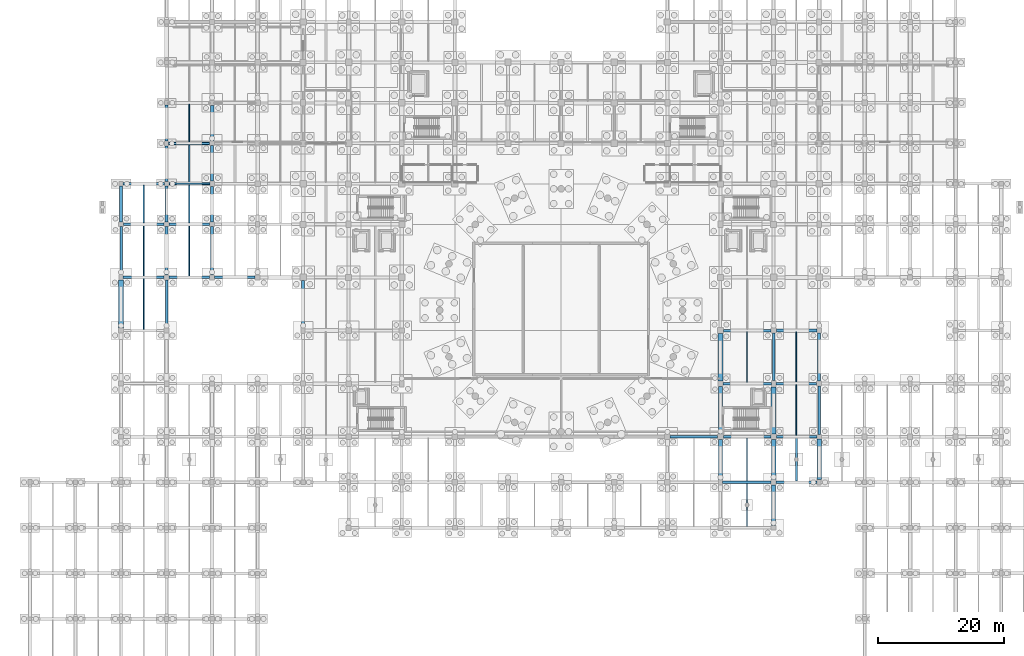
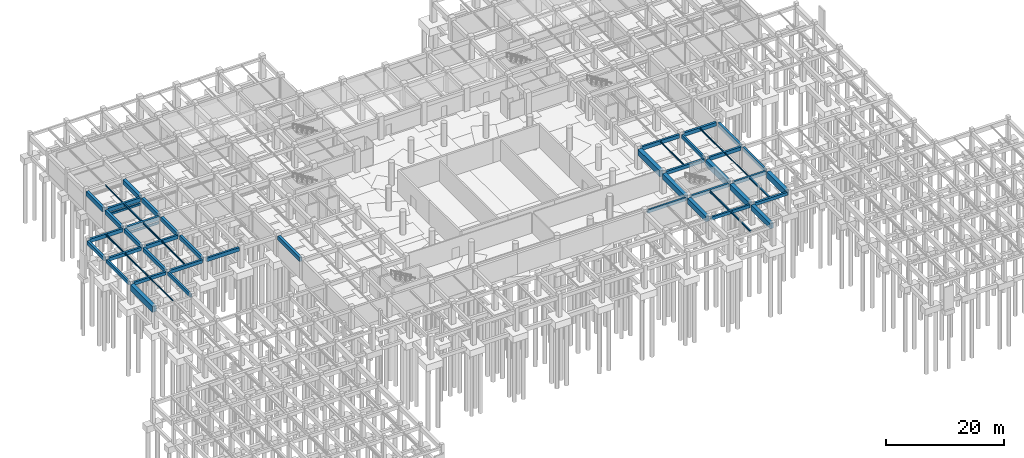
# One storey, part 21 of 44: 55 beams.
"""IFC4 building model written with IfcOpenShell, lengths in metres."""

from ifc_helpers import new_model, si_unit, direction, frame, origin, origin_2d, place, context, subcontext, project, spatial, rectangle, i_section, extrude, material, material_profile, profile_set, type_object, element, save


model = new_model("IFC4")

# Units and contexts
model_context = context("Model", 3, precision=1e-05, world=origin(), true_north=direction((0.0, 1.0)))
body_context = subcontext(model_context, "Body", "Model", "MODEL_VIEW")
ifc_project = project(units=[si_unit("LENGTHUNIT", "METRE"), si_unit("AREAUNIT", "SQUARE_METRE"), si_unit("VOLUMEUNIT", "CUBIC_METRE"), si_unit("PLANEANGLEUNIT", "RADIAN"), si_unit("MASSUNIT", "GRAM", prefix="KILO")], contexts=[model_context])

# Site, building, storey
site_placement = place(None, origin())
site = spatial("IfcSite", under=ifc_project, at=site_placement, CompositionType="ELEMENT")
building_placement = place(site_placement, origin())
building = spatial("IfcBuilding", under=site, at=building_placement, Name="Korsvaeld Concert Hall", CompositionType="ELEMENT")
storey_placement = place(building_placement, frame((0.0, 0.0, -4.800048828125)))
storey = spatial("IfcBuildingStorey", under=building, at=storey_placement, Name="B1", CompositionType="ELEMENT", Elevation=-4.800048828125)

# Beams
ifc_material_1 = material(Name="Concrete C35/45", Category="concrete")
ifc_material_profile_1 = material_profile(ifc_material_1, rectangle(XDim=0.300048828125, YDim=0.39990234375, at=origin_2d()), Name="RC 300x400")
ifc_profile_set_1 = profile_set([ifc_material_profile_1], Name="Concrete C35/45")
beam_type_1 = type_object("IfcBeamType", Name="BM-LN-300x400", PredefinedType="LINTEL", material=ifc_profile_set_1)
beam_1_placement = place(storey_placement, frame((21.89990234375, 89.60009765625, 2.85009765625), z_axis=(1.0, 0.0, 0.0), x_axis=(0.0, 1.0, 0.0)))
element("IfcBeam", 1, at=beam_1_placement, inside=storey, type_object=beam_type_1, Name="Basement lateral frame strut 09", PredefinedType="LINTEL", context=body_context, shape_type="SweptSolid", body=[
    extrude(rectangle(XDim=0.300048828125, YDim=0.39990234375, at=origin_2d()), origin(), (0.0, 0.0, 1.0), 6.525146484375),
])
ifc_material_profile_2 = material_profile(ifc_material_1, rectangle(XDim=0.35009765625, YDim=0.64990234375, at=origin_2d()), Name="RC 350x650")
ifc_profile_set_2 = profile_set([ifc_material_profile_2], Name="Concrete C35/45")
beam_type_2 = type_object("IfcBeamType", Name="BM-RC-350x650", PredefinedType="T_BEAM", material=ifc_profile_set_2)
beam_2_placement = place(storey_placement, frame((109.550048828125, 36.0, 3.925048828125), z_axis=(1.0, 0.0, 0.0), x_axis=(0.0, 1.0, 0.0)))
element("IfcBeam", 2, at=beam_2_placement, inside=storey, type_object=beam_type_2, Name="Primary girder 15-16/F B1", PredefinedType="T_BEAM", context=body_context, shape_type="SweptSolid", body=[
    extrude(rectangle(XDim=0.35009765625, YDim=0.64990234375, at=origin_2d()), origin(), (0.0, 0.0, 1.0), 7.64990234375),
])
beam_3_placement = place(storey_placement, frame((101.22509765625, 43.199951171875, 3.925048828125), z_axis=(1.0, 0.0, 0.0), x_axis=(0.0, 1.0, 0.0)))
element("IfcBeam", 3, at=beam_3_placement, inside=storey, type_object=beam_type_2, Name="Primary girder 14-15/G B1", PredefinedType="T_BEAM", context=body_context, shape_type="SweptSolid", body=[
    extrude(rectangle(XDim=0.35009765625, YDim=0.64990234375, at=origin_2d()), origin(), (0.0, 0.0, 1.0), 7.52490234375),
])
ifc_material_profile_3 = material_profile(ifc_material_1, rectangle(XDim=0.39990234375, YDim=0.64990234375, at=origin_2d()), Name="RC 400x650")
ifc_profile_set_3 = profile_set([ifc_material_profile_3], Name="Concrete C35/45")
beam_type_3 = type_object("IfcBeamType", Name="BM-RC-400x650", PredefinedType="T_BEAM", material=ifc_profile_set_3)
beam_4_placement = place(storey_placement, frame((118.0, 36.0, 3.925048828125), z_axis=(1.0, 0.0, 0.0), x_axis=(0.0, 1.0, 0.0)))
element("IfcBeam", 4, at=beam_4_placement, inside=storey, type_object=beam_type_3, Name="Primary girder 16-17/F B1", PredefinedType="T_BEAM", context=body_context, shape_type="SweptSolid", body=[
    extrude(rectangle(XDim=0.39990234375, YDim=0.64990234375, at=origin_2d()), origin(), (0.0, 0.0, 1.0), 6.5),
])
beam_5_placement = place(storey_placement, frame((109.64990234375, 43.199951171875, 3.925048828125), z_axis=(1.0, 0.0, 0.0), x_axis=(0.0, 1.0, 0.0)))
element("IfcBeam", 5, at=beam_5_placement, inside=storey, type_object=beam_type_3, Name="Primary girder 15-16/G B1", PredefinedType="T_BEAM", context=body_context, shape_type="SweptSolid", body=[
    extrude(rectangle(XDim=0.39990234375, YDim=0.64990234375, at=origin_2d()), origin(), (0.0, 0.0, 1.0), 7.525146484375),
])
beam_6_placement = place(storey_placement, frame((14.75, 68.39990234375, 3.925048828125), z_axis=(1.0, 0.0, 0.0), x_axis=(0.0, 1.0, 0.0)))
element("IfcBeam", 6, at=beam_6_placement, inside=storey, type_object=beam_type_3, Name="Primary girder 3-4/K B1", PredefinedType="T_BEAM", context=body_context, shape_type="SweptSolid", body=[
    extrude(rectangle(XDim=0.39990234375, YDim=0.64990234375, at=origin_2d()), origin(), (0.0, 0.0, 1.0), 6.449951171875),
])
ifc_material_profile_4 = material_profile(ifc_material_1, rectangle(XDim=0.39990234375, YDim=0.699951171875, at=origin_2d()), Name="RC 400x700")
ifc_profile_set_4 = profile_set([ifc_material_profile_4], Name="Concrete C35/45")
beam_type_4 = type_object("IfcBeamType", Name="BM-RC-400x700", PredefinedType="T_BEAM", material=ifc_profile_set_4)
beam_7_placement = place(storey_placement, frame((118.02490234375, 43.199951171875, 3.900146484375), z_axis=(1.0, 0.0, 0.0), x_axis=(0.0, 1.0, 0.0)))
element("IfcBeam", 7, at=beam_7_placement, inside=storey, type_object=beam_type_4, Name="Primary girder 16-17/G B1", PredefinedType="T_BEAM", context=body_context, shape_type="SweptSolid", body=[
    extrude(rectangle(XDim=0.39990234375, YDim=0.699951171875, at=origin_2d()), origin(), (0.0, 0.0, 1.0), 6.400146484375),
])
beam_8_placement = place(storey_placement, frame((109.625, 51.60009765625, 3.900146484375), z_axis=(1.0, 0.0, 0.0), x_axis=(0.0, 1.0, 0.0)))
element("IfcBeam", 8, at=beam_8_placement, inside=storey, type_object=beam_type_4, Name="Primary girder 15-16/H B1", PredefinedType="T_BEAM", context=body_context, shape_type="SweptSolid", body=[
    extrude(rectangle(XDim=0.39990234375, YDim=0.699951171875, at=origin_2d()), origin(), (0.0, 0.0, 1.0), 7.625),
])
beam_9_placement = place(storey_placement, frame((22.0, 68.39990234375, 3.900146484375), z_axis=(1.0, 0.0, 0.0), x_axis=(0.0, 1.0, 0.0)))
element("IfcBeam", 9, at=beam_9_placement, inside=storey, type_object=beam_type_4, Name="Primary girder 4-5/K B1", PredefinedType="T_BEAM", context=body_context, shape_type="SweptSolid", body=[
    extrude(rectangle(XDim=0.39990234375, YDim=0.699951171875, at=origin_2d()), origin(), (0.0, 0.0, 1.0), 6.39990234375),
])
beam_10_placement = place(storey_placement, frame((14.77490234375, 76.800048828125, 3.900146484375), z_axis=(1.0, 0.0, 0.0), x_axis=(0.0, 1.0, 0.0)))
element("IfcBeam", 10, at=beam_10_placement, inside=storey, type_object=beam_type_4, Name="Primary girder 3-4/L B1", PredefinedType="T_BEAM", context=body_context, shape_type="SweptSolid", body=[
    extrude(rectangle(XDim=0.39990234375, YDim=0.699951171875, at=origin_2d()), origin(), (0.0, 0.0, 1.0), 6.4501953125),
])
beam_11_placement = place(storey_placement, frame((14.39990234375, 68.85009765625, 3.900146484375), z_axis=(0.0, 1.0, 0.0), x_axis=(-1.0, 0.0, 0.0)))
element("IfcBeam", 11, at=beam_11_placement, inside=storey, type_object=beam_type_4, Name="Primary girder 3/K-L B1", PredefinedType="T_BEAM", context=body_context, shape_type="SweptSolid", body=[
    extrude(rectangle(XDim=0.39990234375, YDim=0.699951171875, at=origin_2d()), origin(), (0.0, 0.0, 1.0), 7.574951171875),
])
beam_12_placement = place(storey_placement, frame((21.60009765625, 60.375, 3.900146484375), z_axis=(0.0, 1.0, 0.0), x_axis=(-1.0, 0.0, 0.0)))
element("IfcBeam", 12, at=beam_12_placement, inside=storey, type_object=beam_type_4, Name="Primary girder 4/J-K B1", PredefinedType="T_BEAM", context=body_context, shape_type="SweptSolid", body=[
    extrude(rectangle(XDim=0.39990234375, YDim=0.699951171875, at=origin_2d()), origin(), (0.0, 0.0, 1.0), 7.625),
])
beam_13_placement = place(storey_placement, frame((117.60009765625, 52.10009765625, 3.900146484375), z_axis=(0.0, 1.0, 0.0), x_axis=(-1.0, 0.0, 0.0)))
element("IfcBeam", 13, at=beam_13_placement, inside=storey, type_object=beam_type_4, Name="Primary girder 16/H-J B1", PredefinedType="T_BEAM", context=body_context, shape_type="SweptSolid", body=[
    extrude(rectangle(XDim=0.39990234375, YDim=0.699951171875, at=origin_2d()), origin(), (0.0, 0.0, 1.0), 7.474853515625),
])
beam_14_placement = place(storey_placement, frame((124.800048828125, 43.574951171875, 3.900146484375), z_axis=(0.0, 1.0, 0.0), x_axis=(-1.0, 0.0, 0.0)))
element("IfcBeam", 14, at=beam_14_placement, inside=storey, type_object=beam_type_4, Name="Primary girder 17/G-H B1", PredefinedType="T_BEAM", context=body_context, shape_type="SweptSolid", body=[
    extrude(rectangle(XDim=0.39990234375, YDim=0.699951171875, at=origin_2d()), origin(), (0.0, 0.0, 1.0), 7.625),
])
ifc_material_profile_5 = material_profile(ifc_material_1, rectangle(XDim=0.39990234375, YDim=0.75, at=origin_2d()), Name="RC 400x750")
ifc_profile_set_5 = profile_set([ifc_material_profile_5], Name="Concrete C35/45")
beam_type_5 = type_object("IfcBeamType", Name="BM-RC-400x750", PredefinedType="T_BEAM", material=ifc_profile_set_5)
beam_15_placement = place(storey_placement, frame((117.949951171875, 51.60009765625, 3.875), z_axis=(1.0, 0.0, 0.0), x_axis=(0.0, 1.0, 0.0)))
element("IfcBeam", 15, at=beam_15_placement, inside=storey, type_object=beam_type_5, Name="Primary girder 16-17/H B1", PredefinedType="T_BEAM", context=body_context, shape_type="SweptSolid", body=[
    extrude(rectangle(XDim=0.39990234375, YDim=0.75, at=origin_2d()), origin(), (0.0, 0.0, 1.0), 6.449951171875),
])
beam_16_placement = place(storey_placement, frame((109.64990234375, 60.0, 3.875), z_axis=(1.0, 0.0, 0.0), x_axis=(0.0, 1.0, 0.0)))
element("IfcBeam", 16, at=beam_16_placement, inside=storey, type_object=beam_type_5, Name="Primary girder 15-16/J B1", PredefinedType="T_BEAM", context=body_context, shape_type="SweptSolid", body=[
    extrude(rectangle(XDim=0.39990234375, YDim=0.75, at=origin_2d()), origin(), (0.0, 0.0, 1.0), 7.525146484375),
])
beam_17_placement = place(storey_placement, frame((29.199951171875, 68.39990234375, 3.875), z_axis=(1.0, 0.0, 0.0), x_axis=(0.0, 1.0, 0.0)))
element("IfcBeam", 17, at=beam_17_placement, inside=storey, type_object=beam_type_5, Name="Primary girder 5-6/K B1", PredefinedType="T_BEAM", context=body_context, shape_type="SweptSolid", body=[
    extrude(rectangle(XDim=0.39990234375, YDim=0.75, at=origin_2d()), origin(), (0.0, 0.0, 1.0), 6.400146484375),
])
beam_18_placement = place(storey_placement, frame((21.97509765625, 76.800048828125, 3.875), z_axis=(1.0, 0.0, 0.0), x_axis=(0.0, 1.0, 0.0)))
element("IfcBeam", 18, at=beam_18_placement, inside=storey, type_object=beam_type_5, Name="Primary girder 4-5/L B1", PredefinedType="T_BEAM", context=body_context, shape_type="SweptSolid", body=[
    extrude(rectangle(XDim=0.39990234375, YDim=0.75, at=origin_2d()), origin(), (0.0, 0.0, 1.0), 6.449951171875),
])
beam_19_placement = place(storey_placement, frame((14.75, 83.199951171875, 3.875), z_axis=(1.0, 0.0, 0.0), x_axis=(0.0, 1.0, 0.0)))
element("IfcBeam", 19, at=beam_19_placement, inside=storey, type_object=beam_type_5, Name="Primary girder 3-4/M B1", PredefinedType="T_BEAM", context=body_context, shape_type="SweptSolid", body=[
    extrude(rectangle(XDim=0.39990234375, YDim=0.75, at=origin_2d()), origin(), (0.0, 0.0, 1.0), 6.5),
])
ifc_material_profile_6 = material_profile(ifc_material_1, rectangle(XDim=0.449951171875, YDim=0.75, at=origin_2d()), Name="RC 450x750")
ifc_profile_set_6 = profile_set([ifc_material_profile_6], Name="Concrete C35/45")
beam_type_6 = type_object("IfcBeamType", Name="BM-RC-450x750", PredefinedType="T_BEAM", material=ifc_profile_set_6)
beam_20_placement = place(storey_placement, frame((118.02490234375, 60.0, 3.875), z_axis=(1.0, 0.0, 0.0), x_axis=(0.0, 1.0, 0.0)))
element("IfcBeam", 20, at=beam_20_placement, inside=storey, type_object=beam_type_6, Name="Primary girder 16-17/J B1", PredefinedType="T_BEAM", context=body_context, shape_type="SweptSolid", body=[
    extrude(rectangle(XDim=0.449951171875, YDim=0.75, at=origin_2d()), origin(), (0.0, 0.0, 1.0), 6.400146484375),
])
beam_21_placement = place(storey_placement, frame((21.949951171875, 83.199951171875, 3.875), z_axis=(1.0, 0.0, 0.0), x_axis=(0.0, 1.0, 0.0)))
element("IfcBeam", 21, at=beam_21_placement, inside=storey, type_object=beam_type_6, Name="Primary girder 4-5/M B1", PredefinedType="T_BEAM", context=body_context, shape_type="SweptSolid", body=[
    extrude(rectangle(XDim=0.449951171875, YDim=0.75, at=origin_2d()), origin(), (0.0, 0.0, 1.0), 6.5),
])
ifc_material_profile_7 = material_profile(ifc_material_1, rectangle(XDim=0.449951171875, YDim=0.800048828125, at=origin_2d()), Name="RC 450x800")
ifc_profile_set_7 = profile_set([ifc_material_profile_7], Name="Concrete C35/45")
beam_type_7 = type_object("IfcBeamType", Name="BM-RC-450x800", PredefinedType="T_BEAM", material=ifc_profile_set_7)
beam_22_placement = place(storey_placement, frame((21.89990234375, 89.60009765625, 3.85009765625), z_axis=(1.0, 0.0, 0.0), x_axis=(0.0, 1.0, 0.0)))
element("IfcBeam", 22, at=beam_22_placement, inside=storey, type_object=beam_type_7, Name="Primary girder 4-5/N B1", PredefinedType="T_BEAM", context=body_context, shape_type="SweptSolid", body=[
    extrude(rectangle(XDim=0.449951171875, YDim=0.800048828125, at=origin_2d()), origin(), (0.0, 0.0, 1.0), 6.525146484375),
])
beam_23_placement = place(storey_placement, frame((14.39990234375, 77.175048828125, 3.85009765625), z_axis=(0.0, 1.0, 0.0), x_axis=(-1.0, 0.0, 0.0)))
element("IfcBeam", 23, at=beam_23_placement, inside=storey, type_object=beam_type_7, Name="Primary girder 3/L-M B1", PredefinedType="T_BEAM", context=body_context, shape_type="SweptSolid", body=[
    extrude(rectangle(XDim=0.449951171875, YDim=0.800048828125, at=origin_2d()), origin(), (0.0, 0.0, 1.0), 5.675048828125),
])
for number, where, z_axis, x_axis, name in (
    (24, (21.60009765625, 68.800048828125, 3.85009765625), (0.0, 1.0, 0.0), (-1.0, 0.0, 0.0), "Primary girder 4/K-L B1"),
    (25, (124.800048828125, 52.0, 3.85009765625), (0.0, 1.0, 0.0), (-1.0, 0.0, 0.0), "Primary girder 17/H-J B1"),
):
    element("IfcBeam", number, at=place(storey_placement, frame(where, z_axis=z_axis, x_axis=x_axis)), inside=storey, type_object=beam_type_7, Name=name, PredefinedType="T_BEAM", context=body_context, shape_type="SweptSolid", body=[
        extrude(rectangle(XDim=0.449951171875, YDim=0.800048828125, at=origin_2d()), origin(), (0.0, 0.0, 1.0), 7.625),
    ])
ifc_material_2 = material(Name="Concrete C40/50", Category="concrete")
ifc_material_profile_8 = material_profile(ifc_material_2, rectangle(XDim=0.449951171875, YDim=0.85009765625, at=origin_2d()), Name="RC 450x850")
ifc_profile_set_8 = profile_set([ifc_material_profile_8], Name="Concrete C40/50")
beam_type_8 = type_object("IfcBeamType", Name="BM-RC-450x850", PredefinedType="T_BEAM", material=ifc_profile_set_8)
beam_24_placement = place(storey_placement, frame((21.60009765625, 77.175048828125, 3.824951171875), z_axis=(0.0, 1.0, 0.0), x_axis=(-1.0, 0.0, 0.0)))
element("IfcBeam", 26, at=beam_24_placement, inside=storey, type_object=beam_type_8, Name="Primary girder 4/L-M B1", PredefinedType="T_BEAM", context=body_context, shape_type="SweptSolid", body=[
    extrude(rectangle(XDim=0.449951171875, YDim=0.85009765625, at=origin_2d()), origin(), (0.0, 0.0, 1.0), 5.675048828125),
])
beam_25_placement = place(storey_placement, frame((28.800048828125, 68.800048828125, 3.824951171875), z_axis=(0.0, 1.0, 0.0), x_axis=(-1.0, 0.0, 0.0)))
element("IfcBeam", 27, at=beam_25_placement, inside=storey, type_object=beam_type_8, Name="Primary girder 5/K-L B1", PredefinedType="T_BEAM", context=body_context, shape_type="SweptSolid", body=[
    extrude(rectangle(XDim=0.449951171875, YDim=0.85009765625, at=origin_2d()), origin(), (0.0, 0.0, 1.0), 7.625),
])
ifc_material_profile_9 = material_profile(ifc_material_2, rectangle(XDim=0.5, YDim=0.85009765625, at=origin_2d()), Name="RC 500x850")
ifc_profile_set_9 = profile_set([ifc_material_profile_9], Name="Concrete C40/50")
beam_type_9 = type_object("IfcBeamType", Name="BM-RC-500x850", PredefinedType="T_BEAM", material=ifc_profile_set_9)
beam_26_placement = place(storey_placement, frame((21.60009765625, 83.550048828125, 3.824951171875), z_axis=(0.0, 1.0, 0.0), x_axis=(-1.0, 0.0, 0.0)))
element("IfcBeam", 28, at=beam_26_placement, inside=storey, type_object=beam_type_9, Name="Primary girder 4/M-N B1", PredefinedType="T_BEAM", context=body_context, shape_type="SweptSolid", body=[
    extrude(rectangle(XDim=0.5, YDim=0.85009765625, at=origin_2d()), origin(), (0.0, 0.0, 1.0), 5.64990234375),
])
beam_27_placement = place(storey_placement, frame((28.800048828125, 77.175048828125, 3.824951171875), z_axis=(0.0, 1.0, 0.0), x_axis=(-1.0, 0.0, 0.0)))
element("IfcBeam", 29, at=beam_27_placement, inside=storey, type_object=beam_type_9, Name="Primary girder 5/L-M B1", PredefinedType="T_BEAM", context=body_context, shape_type="SweptSolid", body=[
    extrude(rectangle(XDim=0.5, YDim=0.85009765625, at=origin_2d()), origin(), (0.0, 0.0, 1.0), 5.574951171875),
])
beam_28_placement = place(storey_placement, frame((43.199951171875, 60.449951171875, 3.824951171875), z_axis=(0.0, 1.0, 0.0), x_axis=(-1.0, 0.0, 0.0)))
element("IfcBeam", 30, at=beam_28_placement, inside=storey, type_object=beam_type_9, Name="Primary girder 7/J-K B1", PredefinedType="T_BEAM", context=body_context, shape_type="SweptSolid", body=[
    extrude(rectangle(XDim=0.5, YDim=0.85009765625, at=origin_2d()), origin(), (0.0, 0.0, 1.0), 7.449951171875),
])
ifc_material_profile_10 = material_profile(ifc_material_2, rectangle(XDim=0.5, YDim=0.89990234375, at=origin_2d()), Name="RC 500x900")
ifc_profile_set_10 = profile_set([ifc_material_profile_10], Name="Concrete C40/50")
beam_type_10 = type_object("IfcBeamType", Name="BM-RC-500x900", PredefinedType="T_BEAM", material=ifc_profile_set_10)
beam_29_placement = place(storey_placement, frame((21.60009765625, 90.0, 3.800048828125), z_axis=(0.0, 1.0, 0.0), x_axis=(-1.0, 0.0, 0.0)))
element("IfcBeam", 31, at=beam_29_placement, inside=storey, type_object=beam_type_10, Name="Primary girder 4/N-P B1", PredefinedType="T_BEAM", context=body_context, shape_type="SweptSolid", body=[
    extrude(rectangle(XDim=0.5, YDim=0.89990234375, at=origin_2d()), origin(), (0.0, 0.0, 1.0), 5.64990234375),
])
beam_30_placement = place(storey_placement, frame((28.800048828125, 83.64990234375, 3.800048828125), z_axis=(0.0, 1.0, 0.0), x_axis=(-1.0, 0.0, 0.0)))
element("IfcBeam", 32, at=beam_30_placement, inside=storey, type_object=beam_type_10, Name="Primary girder 5/M-N B1", PredefinedType="T_BEAM", context=body_context, shape_type="SweptSolid", body=[
    extrude(rectangle(XDim=0.5, YDim=0.89990234375, at=origin_2d()), origin(), (0.0, 0.0, 1.0), 5.5751953125),
])
ifc_material_profile_11 = material_profile(ifc_material_2, rectangle(XDim=0.550048828125, YDim=0.949951171875, at=origin_2d()), Name="RC 550x950")
ifc_profile_set_11 = profile_set([ifc_material_profile_11], Name="Concrete C40/50")
beam_type_11 = type_object("IfcBeamType", Name="BM-RC-550x950", PredefinedType="T_BEAM", material=ifc_profile_set_11)
beam_31_placement = place(storey_placement, frame((28.800048828125, 89.97509765625, 3.775146484375), z_axis=(0.0, 1.0, 0.0), x_axis=(-1.0, 0.0, 0.0)))
element("IfcBeam", 33, at=beam_31_placement, inside=storey, type_object=beam_type_11, Name="Primary girder 5/N-P B1", PredefinedType="T_BEAM", context=body_context, shape_type="SweptSolid", body=[
    extrude(rectangle(XDim=0.550048828125, YDim=0.949951171875, at=origin_2d()), origin(), (0.0, 0.0, 1.0), 5.625),
])
ifc_material_profile_12 = material_profile(ifc_material_2, rectangle(XDim=0.64990234375, YDim=1.10009765625, at=origin_2d()), Name="RC 650x1100")
ifc_profile_set_12 = profile_set([ifc_material_profile_12], Name="Concrete C40/50")
beam_type_12 = type_object("IfcBeamType", Name="BM-RC-650x1100", PredefinedType="T_BEAM", material=ifc_profile_set_12)
beam_32_placement = place(storey_placement, frame((109.199951171875, 36.449951171875, 3.699951171875), z_axis=(0.0, 1.0, 0.0), x_axis=(-1.0, 0.0, 0.0)))
element("IfcBeam", 34, at=beam_32_placement, inside=storey, type_object=beam_type_12, Name="Primary girder 15/F-G B1", PredefinedType="T_BEAM", context=body_context, shape_type="SweptSolid", body=[
    extrude(rectangle(XDim=0.64990234375, YDim=1.10009765625, at=origin_2d()), origin(), (0.0, 0.0, 1.0), 6.300048828125),
])
beam_33_placement = place(storey_placement, frame((117.60009765625, 29.175048828125, 3.699951171875), z_axis=(0.0, 1.0, 0.0), x_axis=(-1.0, 0.0, 0.0)))
element("IfcBeam", 35, at=beam_33_placement, inside=storey, type_object=beam_type_12, Name="Primary girder 16/E-F B1", PredefinedType="T_BEAM", context=body_context, shape_type="SweptSolid", body=[
    extrude(rectangle(XDim=0.64990234375, YDim=1.10009765625, at=origin_2d()), origin(), (0.0, 0.0, 1.0), 6.425048828125),
])
ifc_material_profile_13 = material_profile(ifc_material_2, rectangle(XDim=0.699951171875, YDim=1.14990234375, at=origin_2d()), Name="RC 700x1150")
ifc_profile_set_13 = profile_set([ifc_material_profile_13], Name="Concrete C40/50")
beam_type_13 = type_object("IfcBeamType", Name="BM-RC-700x1150", PredefinedType="T_BEAM", material=ifc_profile_set_13)
beam_34_placement = place(storey_placement, frame((109.199951171875, 43.64990234375, 3.675048828125), z_axis=(0.0, 1.0, 0.0), x_axis=(-1.0, 0.0, 0.0)))
element("IfcBeam", 36, at=beam_34_placement, inside=storey, type_object=beam_type_13, Name="Primary girder 15/G-H B1", PredefinedType="T_BEAM", context=body_context, shape_type="SweptSolid", body=[
    extrude(rectangle(XDim=0.699951171875, YDim=1.14990234375, at=origin_2d()), origin(), (0.0, 0.0, 1.0), 7.525146484375),
])
beam_35_placement = place(storey_placement, frame((117.60009765625, 36.39990234375, 3.675048828125), z_axis=(0.0, 1.0, 0.0), x_axis=(-1.0, 0.0, 0.0)))
element("IfcBeam", 37, at=beam_35_placement, inside=storey, type_object=beam_type_13, Name="Primary girder 16/F-G B1", PredefinedType="T_BEAM", context=body_context, shape_type="SweptSolid", body=[
    extrude(rectangle(XDim=0.699951171875, YDim=1.14990234375, at=origin_2d()), origin(), (0.0, 0.0, 1.0), 6.375),
])
ifc_material_profile_14 = material_profile(ifc_material_2, rectangle(XDim=0.75, YDim=1.199951171875, at=origin_2d()), Name="RC 750x1200")
ifc_profile_set_14 = profile_set([ifc_material_profile_14], Name="Concrete C40/50")
beam_type_14 = type_object("IfcBeamType", Name="BM-RC-750x1200", PredefinedType="T_BEAM", material=ifc_profile_set_14)
beam_36_placement = place(storey_placement, frame((14.39990234375, 60.375, 3.650146484375), z_axis=(0.0, 1.0, 0.0), x_axis=(-1.0, 0.0, 0.0)))
element("IfcBeam", 38, at=beam_36_placement, inside=storey, type_object=beam_type_14, Name="Primary girder 3/J-K B1", PredefinedType="T_BEAM", context=body_context, shape_type="SweptSolid", body=[
    extrude(rectangle(XDim=0.75, YDim=1.199951171875, at=origin_2d()), origin(), (0.0, 0.0, 1.0), 7.574951171875),
])
beam_37_placement = place(storey_placement, frame((109.199951171875, 52.02490234375, 3.650146484375), z_axis=(0.0, 1.0, 0.0), x_axis=(-1.0, 0.0, 0.0)))
element("IfcBeam", 39, at=beam_37_placement, inside=storey, type_object=beam_type_14, Name="Primary girder 15/H-J B1", PredefinedType="T_BEAM", context=body_context, shape_type="SweptSolid", body=[
    extrude(rectangle(XDim=0.75, YDim=1.199951171875, at=origin_2d()), origin(), (0.0, 0.0, 1.0), 7.525146484375),
])
beam_38_placement = place(storey_placement, frame((117.60009765625, 43.625, 3.650146484375), z_axis=(0.0, 1.0, 0.0), x_axis=(-1.0, 0.0, 0.0)))
element("IfcBeam", 40, at=beam_38_placement, inside=storey, type_object=beam_type_14, Name="Primary girder 16/G-H B1", PredefinedType="T_BEAM", context=body_context, shape_type="SweptSolid", body=[
    extrude(rectangle(XDim=0.75, YDim=1.199951171875, at=origin_2d()), origin(), (0.0, 0.0, 1.0), 7.47509765625),
])
beam_39_placement = place(storey_placement, frame((124.800048828125, 36.449951171875, 3.650146484375), z_axis=(0.0, 1.0, 0.0), x_axis=(-1.0, 0.0, 0.0)))
element("IfcBeam", 41, at=beam_39_placement, inside=storey, type_object=beam_type_14, Name="Primary girder 17/F-G B1", PredefinedType="T_BEAM", context=body_context, shape_type="SweptSolid", body=[
    extrude(rectangle(XDim=0.75, YDim=1.199951171875, at=origin_2d()), origin(), (0.0, 0.0, 1.0), 6.375),
])
ifc_material_3 = material(Name="Steel S355J2", Category="steel")
ifc_material_profile_15 = material_profile(ifc_material_3, i_section(OverallWidth=0.280029296875, OverallDepth=0.27001953125, WebThickness=0.008056640625, FlangeThickness=0.012939453125, FilletRadius=0.02392578125, at=origin_2d()), Name="HEA 280")
ifc_profile_set_15 = profile_set([ifc_material_profile_15], Name="Steel S355J2")
beam_type_15 = type_object("IfcBeamType", Name="BM-STL-HEA280", PredefinedType="BEAM", material=ifc_profile_set_15)
beam_40_placement = place(storey_placement, frame((25.199951171875, 83.425048828125, 4.114990234375), z_axis=(0.0, 1.0, 0.0), x_axis=(-1.0, 0.0, 0.0)))
element("IfcBeam", 42, at=beam_40_placement, inside=storey, type_object=beam_type_15, Name="Secondary steel floor beam 4-5/M B1", PredefinedType="BEAM", context=body_context, shape_type="SweptSolid", body=[
    extrude(i_section(OverallWidth=0.280029296875, OverallDepth=0.27001953125, WebThickness=0.008056640625, FlangeThickness=0.012939453125, FilletRadius=0.02392578125, at=origin_2d()), origin(), (0.0, 0.0, 1.0), 5.949951171875),
])
beam_41_placement = place(storey_placement, frame((121.199951171875, 36.199951171875, 4.114990234375), z_axis=(0.0, 1.0, 0.0), x_axis=(-1.0, 0.0, 0.0)))
element("IfcBeam", 43, at=beam_41_placement, inside=storey, type_object=beam_type_15, Name="Secondary steel floor beam 16-17/F B1", PredefinedType="BEAM", context=body_context, shape_type="SweptSolid", body=[
    extrude(i_section(OverallWidth=0.280029296875, OverallDepth=0.27001953125, WebThickness=0.008056640625, FlangeThickness=0.012939453125, FilletRadius=0.02392578125, at=origin_2d()), origin(), (0.0, 0.0, 1.0), 6.800048828125),
])
ifc_material_profile_16 = material_profile(ifc_material_3, i_section(OverallWidth=0.1201171875, OverallDepth=0.239990234375, WebThickness=0.006103515625, FlangeThickness=0.009765625, FilletRadius=0.014892578125, at=origin_2d()), Name="IPE 240")
ifc_profile_set_16 = profile_set([ifc_material_profile_16], Name="Steel S355J2")
beam_type_16 = type_object("IfcBeamType", Name="BM-STL-IPE240", PredefinedType="JOIST", material=ifc_profile_set_16)
beam_42_placement = place(storey_placement, frame((18.0, 60.175048828125, 4.130126953125), z_axis=(0.0, 1.0, 0.0), x_axis=(-1.0, 0.0, 0.0)))
element("IfcBeam", 44, at=beam_42_placement, inside=storey, type_object=beam_type_16, Name="Secondary steel floor beam 3-4/J B1", PredefinedType="JOIST", context=body_context, shape_type="SweptSolid", body=[
    extrude(i_section(OverallWidth=0.1201171875, OverallDepth=0.239990234375, WebThickness=0.006103515625, FlangeThickness=0.009765625, FilletRadius=0.014892578125, at=origin_2d()), origin(), (0.0, 0.0, 1.0), 8.02490234375),
])
beam_43_placement = place(storey_placement, frame((25.199951171875, 89.824951171875, 4.130126953125), z_axis=(0.0, 1.0, 0.0), x_axis=(-1.0, 0.0, 0.0)))
element("IfcBeam", 45, at=beam_43_placement, inside=storey, type_object=beam_type_16, Name="Secondary steel floor beam 4-5/N B1", PredefinedType="JOIST", context=body_context, shape_type="SweptSolid", body=[
    extrude(i_section(OverallWidth=0.1201171875, OverallDepth=0.239990234375, WebThickness=0.006103515625, FlangeThickness=0.009765625, FilletRadius=0.014892578125, at=origin_2d()), origin(), (0.0, 0.0, 1.0), 5.925048828125),
])
beam_44_placement = place(storey_placement, frame((121.199951171875, 43.39990234375, 4.130126953125), z_axis=(0.0, 1.0, 0.0), x_axis=(-1.0, 0.0, 0.0)))
element("IfcBeam", 46, at=beam_44_placement, inside=storey, type_object=beam_type_16, Name="Secondary steel floor beam 16-17/G B1", PredefinedType="JOIST", context=body_context, shape_type="SweptSolid", body=[
    extrude(i_section(OverallWidth=0.1201171875, OverallDepth=0.239990234375, WebThickness=0.006103515625, FlangeThickness=0.009765625, FilletRadius=0.014892578125, at=origin_2d()), origin(), (0.0, 0.0, 1.0), 8.0),
])
ifc_material_profile_17 = material_profile(ifc_material_3, i_section(OverallWidth=0.135009765625, OverallDepth=0.27001953125, WebThickness=0.006591796875, FlangeThickness=0.01025390625, FilletRadius=0.014892578125, at=origin_2d()), Name="IPE 270")
ifc_profile_set_17 = profile_set([ifc_material_profile_17], Name="Steel S355J2")
beam_type_17 = type_object("IfcBeamType", Name="BM-STL-IPE270", PredefinedType="JOIST", material=ifc_profile_set_17)
beam_45_placement = place(storey_placement, frame((113.39990234375, 51.800048828125, 4.114990234375), z_axis=(0.0, 1.0, 0.0), x_axis=(-1.0, 0.0, 0.0)))
element("IfcBeam", 47, at=beam_45_placement, inside=storey, type_object=beam_type_17, Name="Secondary steel floor beam 15-16/H B1", PredefinedType="JOIST", context=body_context, shape_type="SweptSolid", body=[
    extrude(i_section(OverallWidth=0.135009765625, OverallDepth=0.27001953125, WebThickness=0.006591796875, FlangeThickness=0.01025390625, FilletRadius=0.014892578125, at=origin_2d()), origin(), (0.0, 0.0, 1.0), 8.0),
])
ifc_material_profile_18 = material_profile(ifc_material_3, i_section(OverallWidth=0.14990234375, OverallDepth=0.300048828125, WebThickness=0.007080078125, FlangeThickness=0.0107421875, FilletRadius=0.014892578125, at=origin_2d()), Name="IPE 300")
ifc_profile_set_18 = profile_set([ifc_material_profile_18], Name="Steel S355J2")
beam_type_18 = type_object("IfcBeamType", Name="BM-STL-IPE300", PredefinedType="JOIST", material=ifc_profile_set_18)
beam_46_placement = place(storey_placement, frame((18.0, 68.60009765625, 4.10009765625), z_axis=(0.0, 1.0, 0.0), x_axis=(-1.0, 0.0, 0.0)))
element("IfcBeam", 48, at=beam_46_placement, inside=storey, type_object=beam_type_18, Name="Secondary steel floor beam 3-4/K B1", PredefinedType="JOIST", context=body_context, shape_type="SweptSolid", body=[
    extrude(i_section(OverallWidth=0.14990234375, OverallDepth=0.300048828125, WebThickness=0.007080078125, FlangeThickness=0.0107421875, FilletRadius=0.014892578125, at=origin_2d()), origin(), (0.0, 0.0, 1.0), 8.0),
])
beam_47_placement = place(storey_placement, frame((121.199951171875, 51.800048828125, 4.10009765625), z_axis=(0.0, 1.0, 0.0), x_axis=(-1.0, 0.0, 0.0)))
element("IfcBeam", 49, at=beam_47_placement, inside=storey, type_object=beam_type_18, Name="Secondary steel floor beam 16-17/H B1", PredefinedType="JOIST", context=body_context, shape_type="SweptSolid", body=[
    extrude(i_section(OverallWidth=0.14990234375, OverallDepth=0.300048828125, WebThickness=0.007080078125, FlangeThickness=0.0107421875, FilletRadius=0.014892578125, at=origin_2d()), origin(), (0.0, 0.0, 1.0), 7.974853515625),
])
ifc_material_profile_19 = material_profile(ifc_material_3, i_section(OverallWidth=0.159912109375, OverallDepth=0.330078125, WebThickness=0.007568359375, FlangeThickness=0.011474609375, FilletRadius=0.01806640625, at=origin_2d()), Name="IPE 330")
ifc_profile_set_19 = profile_set([ifc_material_profile_19], Name="Steel S355J2")
beam_type_19 = type_object("IfcBeamType", Name="BM-STL-IPE330", PredefinedType="BEAM", material=ifc_profile_set_19)
beam_48_placement = place(storey_placement, frame((25.199951171875, 68.60009765625, 4.0849609375), z_axis=(0.0, 1.0, 0.0), x_axis=(-1.0, 0.0, 0.0)))
element("IfcBeam", 50, at=beam_48_placement, inside=storey, type_object=beam_type_19, Name="Secondary steel floor beam 4-5/K B1", PredefinedType="BEAM", context=body_context, shape_type="SweptSolid", body=[
    extrude(i_section(OverallWidth=0.159912109375, OverallDepth=0.330078125, WebThickness=0.007568359375, FlangeThickness=0.011474609375, FilletRadius=0.01806640625, at=origin_2d()), origin(), (0.0, 0.0, 1.0), 8.0),
])
ifc_material_profile_20 = material_profile(ifc_material_3, i_section(OverallWidth=0.169921875, OverallDepth=0.360107421875, WebThickness=0.008056640625, FlangeThickness=0.0126953125, FilletRadius=0.01806640625, at=origin_2d()), Name="IPE 360")
ifc_profile_set_20 = profile_set([ifc_material_profile_20], Name="Steel S355J2")
beam_type_20 = type_object("IfcBeamType", Name="BM-STL-IPE360", PredefinedType="BEAM", material=ifc_profile_set_20)
beam_49_placement = place(storey_placement, frame((18.0, 77.0, 4.070068359375), z_axis=(0.0, 1.0, 0.0), x_axis=(-1.0, 0.0, 0.0)))
element("IfcBeam", 51, at=beam_49_placement, inside=storey, type_object=beam_type_20, Name="Secondary steel floor beam 3-4/L B1", PredefinedType="BEAM", context=body_context, shape_type="SweptSolid", body=[
    extrude(i_section(OverallWidth=0.169921875, OverallDepth=0.360107421875, WebThickness=0.008056640625, FlangeThickness=0.0126953125, FilletRadius=0.01806640625, at=origin_2d()), origin(), (0.0, 0.0, 1.0), 6.0),
])
beam_50_placement = place(storey_placement, frame((113.39990234375, 28.97509765625, 4.070068359375), z_axis=(0.0, 1.0, 0.0), x_axis=(-1.0, 0.0, 0.0)))
element("IfcBeam", 52, at=beam_50_placement, inside=storey, type_object=beam_type_20, Name="Secondary steel floor beam 15-16/E B1", PredefinedType="BEAM", context=body_context, shape_type="SweptSolid", body=[
    extrude(i_section(OverallWidth=0.169921875, OverallDepth=0.360107421875, WebThickness=0.008056640625, FlangeThickness=0.0126953125, FilletRadius=0.01806640625, at=origin_2d()), origin(), (0.0, 0.0, 1.0), 6.849853515625),
])
ifc_material_profile_21 = material_profile(ifc_material_3, i_section(OverallWidth=0.179931640625, OverallDepth=0.39990234375, WebThickness=0.008544921875, FlangeThickness=0.013427734375, FilletRadius=0.02099609375, at=origin_2d()), Name="IPE 400")
ifc_profile_set_21 = profile_set([ifc_material_profile_21], Name="Steel S355J2")
beam_type_21 = type_object("IfcBeamType", Name="BM-STL-IPE400", PredefinedType="BEAM", material=ifc_profile_set_21)
beam_51_placement = place(storey_placement, frame((25.199951171875, 77.0, 4.050048828125), z_axis=(0.0, 1.0, 0.0), x_axis=(-1.0, 0.0, 0.0)))
element("IfcBeam", 53, at=beam_51_placement, inside=storey, type_object=beam_type_21, Name="Secondary steel floor beam 4-5/L B1", PredefinedType="BEAM", context=body_context, shape_type="SweptSolid", body=[
    extrude(i_section(OverallWidth=0.179931640625, OverallDepth=0.39990234375, WebThickness=0.008544921875, FlangeThickness=0.013427734375, FilletRadius=0.02099609375, at=origin_2d()), origin(), (0.0, 0.0, 1.0), 5.97509765625),
])
ifc_material_profile_22 = material_profile(ifc_material_3, i_section(OverallWidth=0.18994140625, OverallDepth=0.449951171875, WebThickness=0.009521484375, FlangeThickness=0.0146484375, FilletRadius=0.02099609375, at=origin_2d()), Name="IPE 450")
ifc_profile_set_22 = profile_set([ifc_material_profile_22], Name="Steel S355J2")
beam_type_22 = type_object("IfcBeamType", Name="BM-STL-IPE450", PredefinedType="BEAM", material=ifc_profile_set_22)
beam_52_placement = place(storey_placement, frame((113.39990234375, 36.175048828125, 4.025146484375), z_axis=(0.0, 1.0, 0.0), x_axis=(-1.0, 0.0, 0.0)))
element("IfcBeam", 54, at=beam_52_placement, inside=storey, type_object=beam_type_22, Name="Secondary steel floor beam 15-16/F B1", PredefinedType="BEAM", context=body_context, shape_type="SweptSolid", body=[
    extrude(i_section(OverallWidth=0.18994140625, OverallDepth=0.449951171875, WebThickness=0.009521484375, FlangeThickness=0.0146484375, FilletRadius=0.02099609375, at=origin_2d()), origin(), (0.0, 0.0, 1.0), 6.824951171875),
])
ifc_material_profile_23 = material_profile(ifc_material_3, i_section(OverallWidth=0.199951171875, OverallDepth=0.5, WebThickness=0.01025390625, FlangeThickness=0.01611328125, FilletRadius=0.02099609375, at=origin_2d()), Name="IPE 500")
ifc_profile_set_23 = profile_set([ifc_material_profile_23], Name="Steel S355J2")
beam_type_23 = type_object("IfcBeamType", Name="BM-STL-IPE500", PredefinedType="BEAM", material=ifc_profile_set_23)
beam_53_placement = place(storey_placement, frame((21.949951171875, 83.199951171875, 2.85009765625), z_axis=(1.0, 0.0, 0.0), x_axis=(0.0, 1.0, 0.0)))
element("IfcBeam", 55, at=beam_53_placement, inside=storey, type_object=beam_type_23, Name="Basement lateral frame strut 01", PredefinedType="BEAM", context=body_context, shape_type="SweptSolid", body=[
    extrude(i_section(OverallWidth=0.199951171875, OverallDepth=0.5, WebThickness=0.01025390625, FlangeThickness=0.01611328125, FilletRadius=0.02099609375, at=origin_2d()), origin(), (0.0, 0.0, 1.0), 6.5),
])

save(model, "model.ifc")
